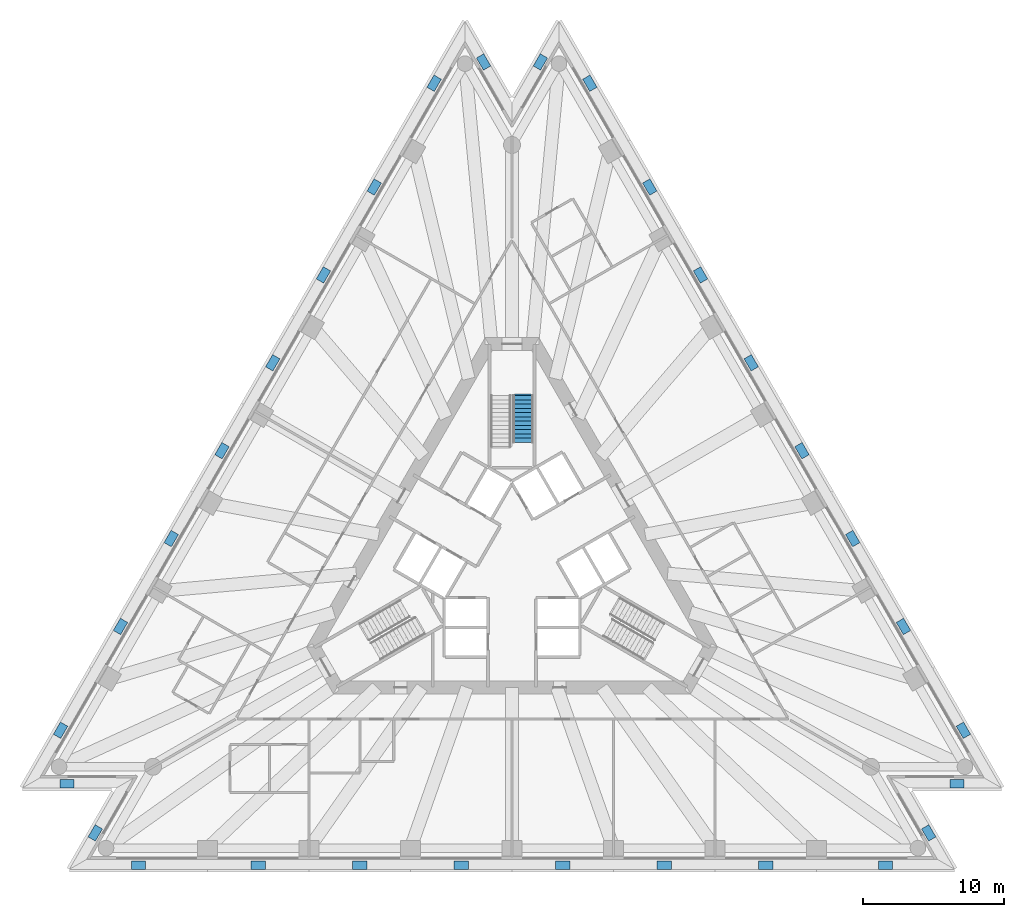
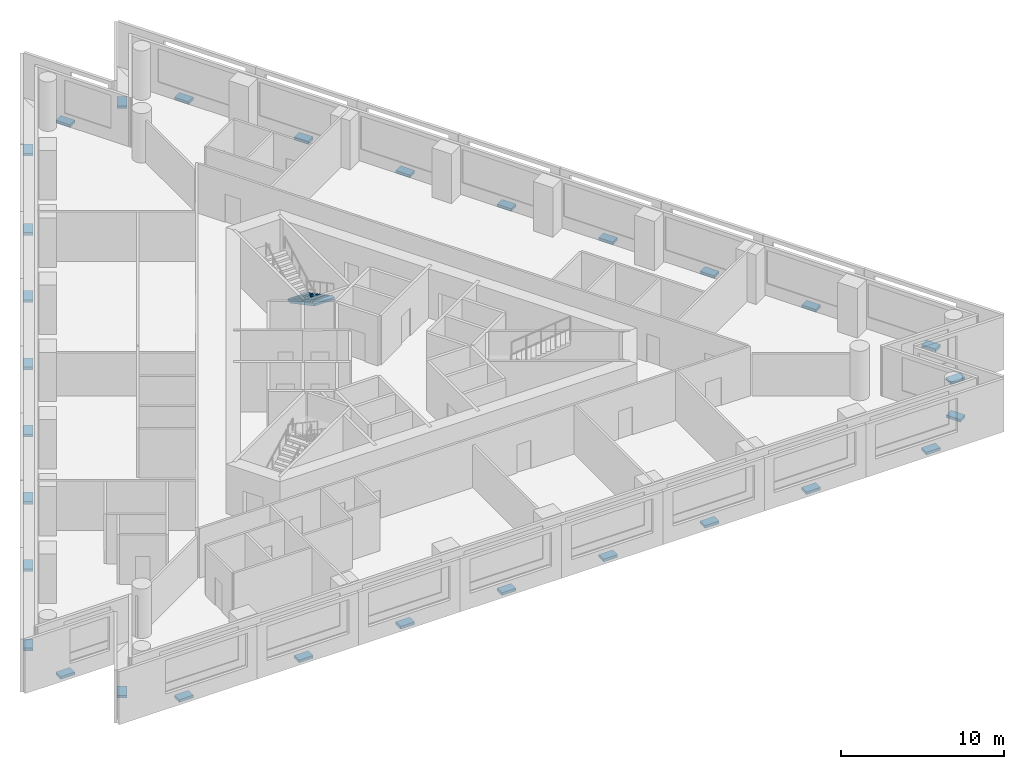
# One storey, part 9 of 11: 30 discrete accessories, 1 stair flight, 1 element without a shape of its own.
"""IFC4 building model written with IfcOpenShell, lengths in metres."""

import ifcopenshell
import ifcopenshell.guid

model = None  # the IFC model being written
_history = None  # IfcOwnerHistory: only IFC2X3 demands one
_inside = {}  # id of a spatial element -> (the spatial element, [elements in it])
_under = {}  # id of a project, library or spatial element -> (it, [spatial elements below it])
_declared = {}  # id of a project -> (the project, [libraries it declares])
_typed = {}  # id of a type object -> (the type object, [elements of that type])
_made_of = {}  # id of a material, layer set ... -> (it, [elements and type objects made of it])


def new_model(schema):
    """Start an empty IFC model of exactly this schema.

    Asked for "IFC4X3", IfcOpenShell would pick the latest addendum, in which some entities
    have other attributes; the version numbers below select the first issue.
    IFC2X3 requires an IfcOwnerHistory on every rooted entity: one is made here for all.
    """
    global model, _history
    if schema == "IFC4X3":
        model = ifcopenshell.file(schema_version=(4, 3, 0, 0))
    else:
        model = ifcopenshell.file(schema=schema)
    _inside.clear()
    _under.clear()
    _declared.clear()
    _typed.clear()
    _made_of.clear()
    _history = None
    if model.schema == "IFC2X3":
        org = make("IfcOrganization", Name="unknown")
        user = make(
            "IfcPersonAndOrganization",
            ThePerson=make("IfcPerson", FamilyName="unknown"),
            TheOrganization=org,
        )
        app = make(
            "IfcApplication",
            ApplicationDeveloper=org,
            Version="unknown",
            ApplicationFullName="unknown",
            ApplicationIdentifier="unknown",
        )
        _history = make(
            "IfcOwnerHistory",
            OwningUser=user,
            OwningApplication=app,
            ChangeAction="ADDED",
            CreationDate=0,
        )
    return model


def make(cls, **values):
    """One entity of the class cls with the attributes given. An attribute that is None is left unset."""
    return model.create_entity(
        cls, **{name: value for name, value in values.items() if value is not None}
    )


def rooted(cls, **values):
    """An entity with a GlobalId (a new one), such as an element, a storey or a relation."""
    return make(cls, GlobalId=ifcopenshell.guid.new(), OwnerHistory=_history, **values)


def si_unit(unit_type, name, prefix=None):
    """IfcSIUnit, for example si_unit("LENGTHUNIT", "METRE", prefix="MILLI")."""
    return make("IfcSIUnit", UnitType=unit_type, Prefix=prefix, Name=name)


def assignment(units):
    """IfcUnitAssignment: the units of a project."""
    return None if units is None else make("IfcUnitAssignment", Units=units)


def point(xyz):
    """IfcCartesianPoint."""
    return None if xyz is None else make("IfcCartesianPoint", Coordinates=xyz)


def direction(xyz):
    """IfcDirection."""
    return None if xyz is None else make("IfcDirection", DirectionRatios=xyz)


def frame(location, z_axis=None, x_axis=None):
    """IfcAxis2Placement3D, a coordinate frame: its origin and axes. An axis left out is left unset."""
    return make(
        "IfcAxis2Placement3D",
        Location=point(location),
        Axis=direction(z_axis),
        RefDirection=direction(x_axis),
    )


def frame_2d(location, x_axis=None):
    """IfcAxis2Placement2D, a coordinate frame in the plane: its origin and x axis."""
    return make(
        "IfcAxis2Placement2D", Location=point(location), RefDirection=direction(x_axis)
    )


def origin():
    """The frame at (0, 0, 0) with its axes left unset."""
    return frame((0.0, 0.0, 0.0))


def origin_2d():
    """The frame at (0, 0) in the plane with its x axis left unset."""
    return frame_2d((0.0, 0.0))


def place(relative_to, where):
    """IfcLocalPlacement: puts the frame where relative to a parent placement (None: the world)."""
    return make(
        "IfcLocalPlacement", PlacementRelTo=relative_to, RelativePlacement=where
    )


def context(
    kind, dimensions, precision=None, world=None, true_north=None, identifier=None
):
    """IfcGeometricRepresentationContext, for example the 3D "Model" context."""
    return make(
        "IfcGeometricRepresentationContext",
        ContextIdentifier=identifier,
        ContextType=kind,
        CoordinateSpaceDimension=dimensions,
        Precision=precision,
        WorldCoordinateSystem=world,
        TrueNorth=true_north,
    )


def subcontext(parent, identifier, kind, view, scale=None):
    """IfcGeometricRepresentationSubContext, for example "Body" below "Model"."""
    return make(
        "IfcGeometricRepresentationSubContext",
        ContextIdentifier=identifier,
        ContextType=kind,
        ParentContext=parent,
        TargetScale=scale,
        TargetView=view,
    )


def project(units=None, contexts=None):
    """IfcProject with its units and contexts."""
    return rooted(
        "IfcProject",
        Name="project",
        RepresentationContexts=contexts,
        UnitsInContext=assignment(units),
    )


def spatial(cls, under=None, at=None, **own):
    """A site, building, storey or space (cls), placed at a placement, below another one or the project."""
    s = rooted(cls, ObjectPlacement=at, **own)
    if under is not None:
        _under.setdefault(under.id(), (under, []))[1].append(s)
    return s


def polyline(points):
    """IfcPolyline through the points."""
    return make("IfcPolyline", Points=[point(p) for p in points])


def profile(cls, at=None, kind="AREA", **sizes):
    """A parametric profile (cls). Its sizes go by their IFC names, for example OverallWidth=200.0."""
    return make(cls, ProfileType=kind, Position=at, **sizes)


def rectangle(**sizes):
    """IfcRectangleProfileDef."""
    return profile("IfcRectangleProfileDef", **sizes)


def outline(outer, holes=None, kind="AREA"):
    """IfcArbitraryClosedProfileDef: a profile drawn as a closed curve; with holes, ...WithVoids."""
    if holes is None:
        return make("IfcArbitraryClosedProfileDef", ProfileType=kind, OuterCurve=outer)
    return make(
        "IfcArbitraryProfileDefWithVoids",
        ProfileType=kind,
        OuterCurve=outer,
        InnerCurves=holes,
    )


def extrude(swept, where, along, depth):
    """IfcExtrudedAreaSolid: the profile swept, set in the frame where, extruded along a direction by depth."""
    return make(
        "IfcExtrudedAreaSolid",
        SweptArea=swept,
        Position=where,
        ExtrudedDirection=direction(along),
        Depth=depth,
    )


def shape(context_of_items, identifier, shape_type, items):
    """IfcShapeRepresentation: the items that make up one representation, for example the "Body"."""
    return make(
        "IfcShapeRepresentation",
        ContextOfItems=context_of_items,
        RepresentationIdentifier=identifier,
        RepresentationType=shape_type,
        Items=items,
    )


def material(Name=None, Category=None):
    """IfcMaterial."""
    return make("IfcMaterial", Name=Name, Category=Category)


def made_of(thing, what):
    """Note that an element or type object is made of a material, layer set ...; save() writes the relation."""
    if what is not None:
        _made_of.setdefault(what.id(), (what, []))[1].append(thing)
    return thing


def type_object(cls, material=None, **own):
    """A type object (cls), such as IfcWallType, which elements share."""
    return made_of(rooted(cls, **own), material)


def element(
    cls,
    number,
    at=None,
    inside=None,
    cuts=None,
    type_object=None,
    material=None,
    context=None,
    identifier="Body",
    shape_type=None,
    held_by="IfcProductDefinitionShape",
    body=None,
    shapes=None,
    **own,
):
    """One element of the class cls, such as IfcWall. Its Tag is "e" and its number.

    at: its placement. inside: the storey or other place that contains it. cuts: it is an
    opening in that element (IfcRelVoidsElement). A single representation is given by context,
    identifier, shape_type and body (its items); several are given by shapes. held_by: the class
    of the entity that holds the representations. save() writes the other relations.
    """
    e = rooted(cls, Tag="e%d" % number, ObjectPlacement=at, **own)
    if body is not None:
        shapes = [shape(context, identifier, shape_type, body)]
    if shapes is not None:
        e.Representation = make(held_by, Representations=shapes)
    if inside is not None:
        _inside.setdefault(inside.id(), (inside, []))[1].append(e)
    if cuts is not None:
        rooted(
            "IfcRelVoidsElement", RelatingBuildingElement=cuts, RelatedOpeningElement=e
        )
    if type_object is not None:
        _typed.setdefault(type_object.id(), (type_object, []))[1].append(e)
    return made_of(e, material)


def aggregate(whole, parts):
    """IfcRelAggregates: a whole, such as a stair, and the parts it consists of."""
    return rooted("IfcRelAggregates", RelatingObject=whole, RelatedObjects=parts)


def save(model, path):
    """Write the relations noted so far, then the file.

    IfcRelAggregates (storeys below a building ...), IfcRelContainedInSpatialStructure (elements
    in a storey), IfcRelDefinesByType, IfcRelAssociatesMaterial and IfcRelDeclares: one each for
    every whole, place, type object, material and project.
    """
    for whole, parts in _under.values():
        aggregate(whole, parts)
    for where, things in _inside.values():
        rooted(
            "IfcRelContainedInSpatialStructure",
            RelatedElements=things,
            RelatingStructure=where,
        )
    for kind, things in _typed.values():
        rooted("IfcRelDefinesByType", RelatedObjects=things, RelatingType=kind)
    for what, things in _made_of.values():
        rooted("IfcRelAssociatesMaterial", RelatedObjects=things, RelatingMaterial=what)
    for by, libraries in _declared.values():
        rooted("IfcRelDeclares", RelatingContext=by, RelatedDefinitions=libraries)
    model.write(path)


model = new_model("IFC4")

# Units and contexts
model_context = context("Model", 3, precision=1e-05, world=origin(), true_north=direction((0.0, 1.0)))
body_context = subcontext(model_context, "Body", "Model", "MODEL_VIEW")
ifc_project = project(units=[si_unit("LENGTHUNIT", "METRE"), si_unit("AREAUNIT", "SQUARE_METRE"), si_unit("VOLUMEUNIT", "CUBIC_METRE"), si_unit("PLANEANGLEUNIT", "RADIAN"), si_unit("MASSUNIT", "GRAM", prefix="KILO")], contexts=[model_context])

# Site, building, storey
site_placement = place(None, origin())
site = spatial("IfcSite", under=ifc_project, at=site_placement, CompositionType="ELEMENT")
building_placement = place(site_placement, origin())
building = spatial("IfcBuilding", under=site, at=building_placement, Name="Triada Interchange Tower", CompositionType="ELEMENT")
storey_placement = place(building_placement, frame((0.0, 0.0, 83.300048828125)))
storey = spatial("IfcBuildingStorey", under=building, at=storey_placement, Name="L18", CompositionType="ELEMENT", Elevation=83.300048828125)

# Stair, stair flight
ifc_material_1 = material(Name="Concrete C35/45", Category="concrete")
stair_type = type_object("IfcStairType", Name="HALF TURN STAIR 1400", PredefinedType="HALF_TURN_STAIR", material=ifc_material_1)
stair_placement = place(storey_placement, origin())
stair = element("IfcStair", 1, at=stair_placement, inside=storey, type_object=stair_type, Name="Exit stair S18-1", PredefinedType="HALF_TURN_STAIR")
stair_flight_type = type_object("IfcStairFlightType", Name="STRAIGHT STAIR FLIGHT 1400", PredefinedType="STRAIGHT", material=ifc_material_1)
stair_flight_placement = place(storey_placement, frame((0.800048828125, 11.60009765625, 0.0), z_axis=(0.0, 0.0, 1.0), x_axis=(0.0, -1.0, 0.0)))
stair_flight = element("IfcStairFlight", 2, at=stair_flight_placement, type_object=stair_flight_type, Name="S18-1 flight 1", NumberOfRisers=12, NumberOfTreads=11, PredefinedType="STRAIGHT", RiserHeight=0.16, TreadLength=0.3, context=body_context, shape_type="SweptSolid", body=[
    extrude(outline(polyline([(-0.10009765625, 0.0), (-0.10009765625, 0.02001953125), (0.0, 0.02001953125), (0.0, 0.159912109375), (0.300048828125, 0.159912109375), (0.300048828125, 0.320068359375), (0.60009765625, 0.320068359375), (0.60009765625, 0.47998046875), (0.89990234375, 0.47998046875), (0.89990234375, 0.639892578125), (1.199951171875, 0.639892578125), (1.199951171875, 0.800048828125), (1.5, 0.800048828125), (1.5, 0.9599609375), (1.800048828125, 0.9599609375), (1.800048828125, 1.1201171875), (2.10009765625, 1.1201171875), (2.10009765625, 1.280029296875), (2.39990234375, 1.280029296875), (2.39990234375, 1.43994140625), (2.699951171875, 1.43994140625), (2.699951171875, 1.60009765625), (3.0, 1.60009765625), (3.0, 1.760009765625), (3.300048828125, 1.760009765625), (3.303955078125, 1.760009765625), (3.303955078125, 1.919921875), (3.303955078125, 1.590087890625), (0.318603515625, 0.0), (-0.10009765625, 0.0)])), frame((0.0, 0.699951171875, 0.0), z_axis=(0.0, -1.0, 0.0), x_axis=(1.0, 0.0, 0.0)), (0.0, 0.0, 1.0), 0.46533203125),
    extrude(outline(polyline([(-0.10009765625, 0.0), (-0.10009765625, 0.02001953125), (0.0, 0.02001953125), (0.0, 0.159912109375), (0.300048828125, 0.159912109375), (0.300048828125, 0.320068359375), (0.60009765625, 0.320068359375), (0.60009765625, 0.47998046875), (0.89990234375, 0.47998046875), (0.89990234375, 0.639892578125), (1.199951171875, 0.639892578125), (1.199951171875, 0.800048828125), (1.5, 0.800048828125), (1.5, 0.9599609375), (1.800048828125, 0.9599609375), (1.800048828125, 1.1201171875), (2.10009765625, 1.1201171875), (2.10009765625, 1.280029296875), (2.39990234375, 1.280029296875), (2.39990234375, 1.43994140625), (2.699951171875, 1.43994140625), (2.699951171875, 1.60009765625), (3.0, 1.60009765625), (3.0, 1.760009765625), (3.300048828125, 1.760009765625), (3.303955078125, 1.760009765625), (3.303955078125, 1.919921875), (3.303955078125, 1.590087890625), (0.318603515625, 0.0), (-0.10009765625, 0.0)])), frame((0.0, 0.232666015625, 0.0), z_axis=(0.0, -1.0, 0.0), x_axis=(1.0, 0.0, 0.0)), (0.0, 0.0, 1.0), 0.46533203125),
    extrude(outline(polyline([(-0.10009765625, 0.0), (-0.10009765625, 0.02001953125), (0.0, 0.02001953125), (0.0, 0.159912109375), (0.300048828125, 0.159912109375), (0.300048828125, 0.320068359375), (0.60009765625, 0.320068359375), (0.60009765625, 0.47998046875), (0.89990234375, 0.47998046875), (0.89990234375, 0.639892578125), (1.199951171875, 0.639892578125), (1.199951171875, 0.800048828125), (1.5, 0.800048828125), (1.5, 0.9599609375), (1.800048828125, 0.9599609375), (1.800048828125, 1.1201171875), (2.10009765625, 1.1201171875), (2.10009765625, 1.280029296875), (2.39990234375, 1.280029296875), (2.39990234375, 1.43994140625), (2.699951171875, 1.43994140625), (2.699951171875, 1.60009765625), (3.0, 1.60009765625), (3.0, 1.760009765625), (3.300048828125, 1.760009765625), (3.303955078125, 1.760009765625), (3.303955078125, 1.919921875), (3.303955078125, 1.590087890625), (0.318603515625, 0.0), (-0.10009765625, 0.0)])), frame((0.0, -0.234619140625, 0.0), z_axis=(0.0, -1.0, 0.0), x_axis=(1.0, 0.0, 0.0)), (0.0, 0.0, 1.0), 0.46533203125),
])
aggregate(stair, [stair_flight])

# Discrete accessories
ifc_material_2 = material(Name="Steel S355", Category="steel")
discrete_accessory_type = type_object("IfcDiscreteAccessoryType", Name="Steel bracket outer skin", PredefinedType="BRACKET", material=ifc_material_2)
for number, where, z_axis, x_axis, name in (
    (3, (-5.510986328125, 33.712890625, -0.27001953125), (0.0, 0.0, 1.0), (-0.866025342698, 0.500000105805, 0.0), "Bracket L18 01"),
    (4, (-9.751953125, 26.366943359375, -0.27001953125), (0.0, 0.0, 1.0), (-0.866025342698, 0.500000105805, 0.0), "Bracket L18 02"),
    (5, (-13.343994140625, 20.14599609375, -0.27001953125), (0.0, 0.0, 1.0), (-0.866025342698, 0.500000105805, 0.0), "Bracket L18 03"),
    (6, (-16.93505859375, 13.925048828125, -0.27001953125), (0.0, 0.0, 1.0), (-0.866025342698, 0.500000105805, 0.0), "Bracket L18 04"),
    (7, (-20.527099609375, 7.7041015625, -0.27001953125), (0.0, 0.0, 1.0), (-0.866025342698, 0.500000105805, 0.0), "Bracket L18 05"),
    (8, (-24.118896484375, 1.48291015625, -0.27001953125), (0.0, 0.0, 1.0), (-0.866025342698, 0.500000105805, 0.0), "Bracket L18 06"),
    (9, (-27.7109375, -4.738037109375, -0.27001953125), (0.0, 0.0, 1.0), (-0.866025342698, 0.500000105805, 0.0), "Bracket L18 07"),
    (10, (-31.951904296875, -12.083984375, -0.27001953125), (0.0, 0.0, 1.0), (-0.866025342698, 0.500000105805, 0.0), "Bracket L18 08"),
    (11, (-31.5048828125, -15.8701171875, -0.27001953125), (0.0, 0.0, 1.0), (0.0, -1.0, 0.0), "Bracket L18 09"),
    (12, (-29.4970703125, -19.35009765625, -0.27001953125), (0.0, 0.0, 1.0), (-0.866022811959, 0.500004489147, 0.0), "Bracket L18 10"),
    (13, (-26.44091796875, -21.62890625, -0.27001953125), (0.0, 0.0, 1.0), (0.0, -1.0, 0.0), "Bracket L18 11"),
    (14, (-17.958984375, -21.62890625, -0.27001953125), (0.0, 0.0, 1.0), (0.0, -1.0, 0.0), "Bracket L18 12"),
    (15, (-10.77490234375, -21.62890625, -0.27001953125), (0.0, 0.0, 1.0), (0.0, -1.0, 0.0), "Bracket L18 13"),
    (16, (-3.592041015625, -21.62890625, -0.27001953125), (0.0, 0.0, 1.0), (0.0, -1.0, 0.0), "Bracket L18 14"),
    (17, (3.592041015625, -21.62890625, -0.27001953125), (0.0, 0.0, 1.0), (0.0, -1.0, 0.0), "Bracket L18 15"),
    (18, (10.77490234375, -21.62890625, -0.27001953125), (0.0, 0.0, 1.0), (0.0, -1.0, 0.0), "Bracket L18 16"),
    (19, (17.958984375, -21.62890625, -0.27001953125), (0.0, 0.0, 1.0), (0.0, -1.0, 0.0), "Bracket L18 17"),
    (20, (26.44091796875, -21.62890625, -0.27001953125), (0.0, 0.0, 1.0), (0.0, -1.0, 0.0), "Bracket L18 18"),
    (21, (29.4970703125, -19.35009765625, -0.27001953125), (0.0, 0.0, 1.0), (0.866022811959, 0.500004489147, 0.0), "Bracket L18 19"),
    (22, (31.5048828125, -15.8701171875, -0.27001953125), (0.0, 0.0, 1.0), (0.0, -1.0, 0.0), "Bracket L18 20"),
    (23, (31.951904296875, -12.083984375, -0.27001953125), (0.0, 0.0, 1.0), (0.866025342698, 0.500000105805, 0.0), "Bracket L18 21"),
    (24, (27.7109375, -4.738037109375, -0.27001953125), (0.0, 0.0, 1.0), (0.866025342698, 0.500000105805, 0.0), "Bracket L18 22"),
    (25, (24.118896484375, 1.48291015625, -0.27001953125), (0.0, 0.0, 1.0), (0.866025342698, 0.500000105805, 0.0), "Bracket L18 23"),
    (26, (20.527099609375, 7.7041015625, -0.27001953125), (0.0, 0.0, 1.0), (0.866025342698, 0.500000105805, 0.0), "Bracket L18 24"),
    (27, (16.93505859375, 13.925048828125, -0.27001953125), (0.0, 0.0, 1.0), (0.866025342698, 0.500000105805, 0.0), "Bracket L18 25"),
    (28, (13.343994140625, 20.14599609375, -0.27001953125), (0.0, 0.0, 1.0), (0.866025342698, 0.500000105805, 0.0), "Bracket L18 26"),
    (29, (9.751953125, 26.366943359375, -0.27001953125), (0.0, 0.0, 1.0), (0.866025342698, 0.500000105805, 0.0), "Bracket L18 27"),
    (30, (5.510986328125, 33.712890625, -0.27001953125), (0.0, 0.0, 1.0), (0.866025342698, 0.500000105805, 0.0), "Bracket L18 28"),
    (31, (2.009033203125, 35.218994140625, -0.27001953125), (0.0, 0.0, 1.0), (-0.866022811959, 0.500004489147, 0.0), "Bracket L18 29"),
    (32, (-2.009033203125, 35.218994140625, -0.27001953125), (0.0, 0.0, 1.0), (0.866022811959, 0.500004489147, 0.0), "Bracket L18 30"),
):
    element("IfcDiscreteAccessory", number, at=place(storey_placement, frame(where, z_axis=z_axis, x_axis=x_axis)), inside=storey, type_object=discrete_accessory_type, Name=name, PredefinedType="BRACKET", context=body_context, shape_type="SweptSolid", body=[
        extrude(rectangle(XDim=0.60009765625, YDim=1.0, at=origin_2d()), origin(), (0.0, 0.0, 1.0), 0.199951171875),
    ])

save(model, "model.ifc")
